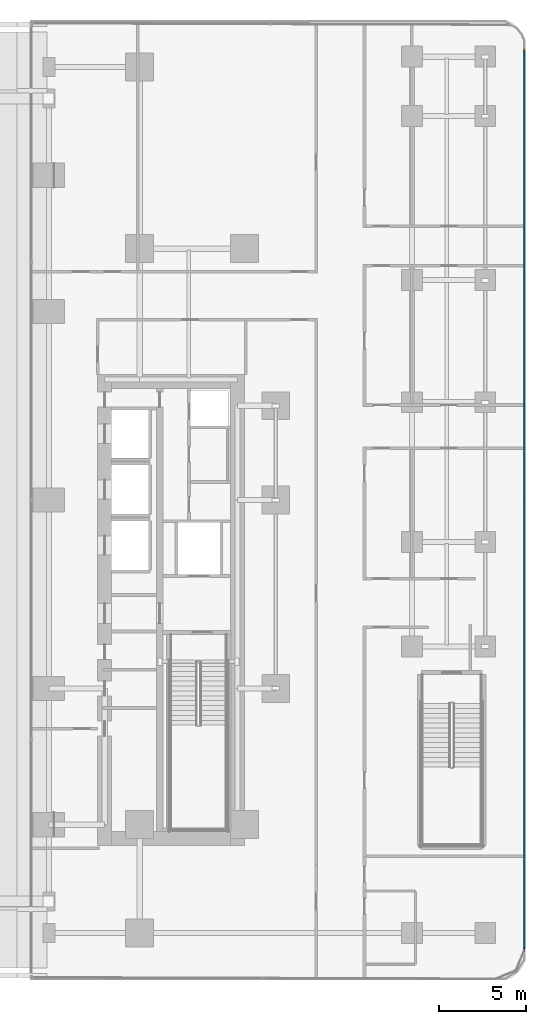
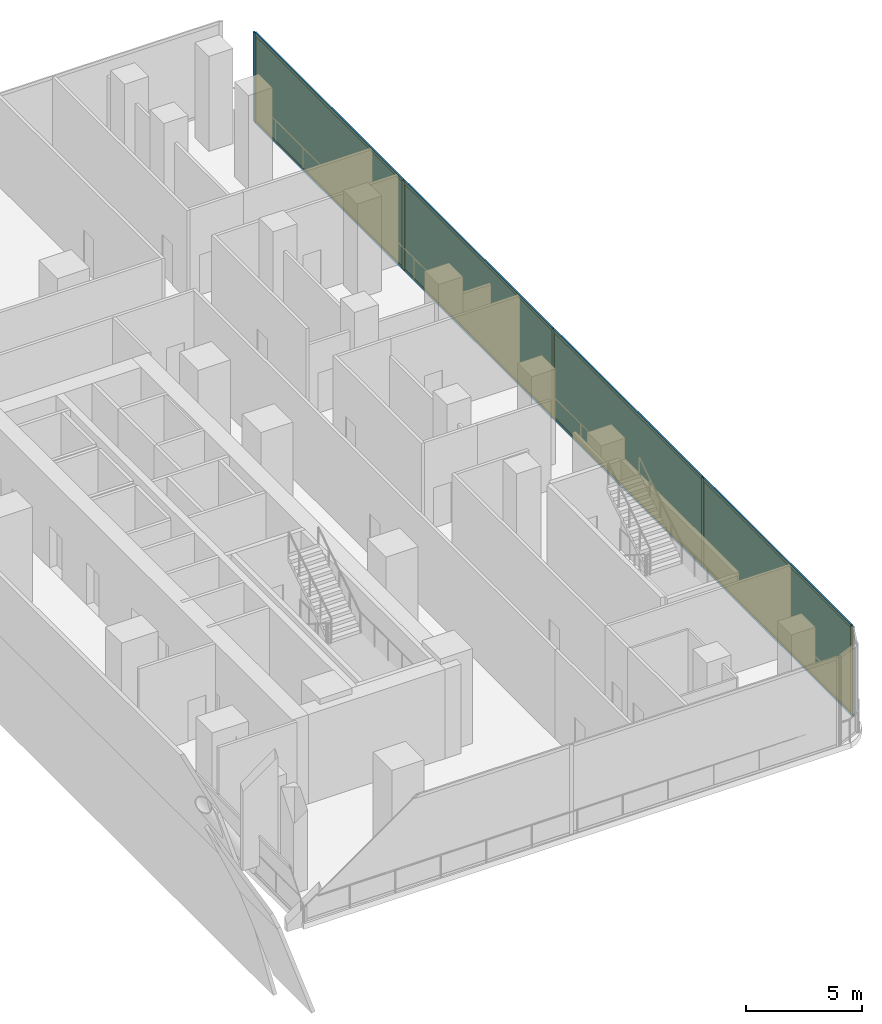
# One storey, part 20 of 31: 13 members, 4 plates, 1 curtain wall.
"""IFC4 building model written with IfcOpenShell, lengths in metres."""

import ifcopenshell
import ifcopenshell.guid

model = None  # the IFC model being written
_history = None  # IfcOwnerHistory: only IFC2X3 demands one
_inside = {}  # id of a spatial element -> (the spatial element, [elements in it])
_under = {}  # id of a project, library or spatial element -> (it, [spatial elements below it])
_declared = {}  # id of a project -> (the project, [libraries it declares])
_typed = {}  # id of a type object -> (the type object, [elements of that type])
_made_of = {}  # id of a material, layer set ... -> (it, [elements and type objects made of it])


def new_model(schema):
    """Start an empty IFC model of exactly this schema.

    Asked for "IFC4X3", IfcOpenShell would pick the latest addendum, in which some entities
    have other attributes; the version numbers below select the first issue.
    IFC2X3 requires an IfcOwnerHistory on every rooted entity: one is made here for all.
    """
    global model, _history
    if schema == "IFC4X3":
        model = ifcopenshell.file(schema_version=(4, 3, 0, 0))
    else:
        model = ifcopenshell.file(schema=schema)
    _inside.clear()
    _under.clear()
    _declared.clear()
    _typed.clear()
    _made_of.clear()
    _history = None
    if model.schema == "IFC2X3":
        org = make("IfcOrganization", Name="unknown")
        user = make(
            "IfcPersonAndOrganization",
            ThePerson=make("IfcPerson", FamilyName="unknown"),
            TheOrganization=org,
        )
        app = make(
            "IfcApplication",
            ApplicationDeveloper=org,
            Version="unknown",
            ApplicationFullName="unknown",
            ApplicationIdentifier="unknown",
        )
        _history = make(
            "IfcOwnerHistory",
            OwningUser=user,
            OwningApplication=app,
            ChangeAction="ADDED",
            CreationDate=0,
        )
    return model


def make(cls, **values):
    """One entity of the class cls with the attributes given. An attribute that is None is left unset."""
    return model.create_entity(
        cls, **{name: value for name, value in values.items() if value is not None}
    )


def rooted(cls, **values):
    """An entity with a GlobalId (a new one), such as an element, a storey or a relation."""
    return make(cls, GlobalId=ifcopenshell.guid.new(), OwnerHistory=_history, **values)


def si_unit(unit_type, name, prefix=None):
    """IfcSIUnit, for example si_unit("LENGTHUNIT", "METRE", prefix="MILLI")."""
    return make("IfcSIUnit", UnitType=unit_type, Prefix=prefix, Name=name)


def assignment(units):
    """IfcUnitAssignment: the units of a project."""
    return None if units is None else make("IfcUnitAssignment", Units=units)


def point(xyz):
    """IfcCartesianPoint."""
    return None if xyz is None else make("IfcCartesianPoint", Coordinates=xyz)


def direction(xyz):
    """IfcDirection."""
    return None if xyz is None else make("IfcDirection", DirectionRatios=xyz)


def frame(location, z_axis=None, x_axis=None):
    """IfcAxis2Placement3D, a coordinate frame: its origin and axes. An axis left out is left unset."""
    return make(
        "IfcAxis2Placement3D",
        Location=point(location),
        Axis=direction(z_axis),
        RefDirection=direction(x_axis),
    )


def frame_2d(location, x_axis=None):
    """IfcAxis2Placement2D, a coordinate frame in the plane: its origin and x axis."""
    return make(
        "IfcAxis2Placement2D", Location=point(location), RefDirection=direction(x_axis)
    )


def origin():
    """The frame at (0, 0, 0) with its axes left unset."""
    return frame((0.0, 0.0, 0.0))


def origin_2d():
    """The frame at (0, 0) in the plane with its x axis left unset."""
    return frame_2d((0.0, 0.0))


def place(relative_to, where):
    """IfcLocalPlacement: puts the frame where relative to a parent placement (None: the world)."""
    return make(
        "IfcLocalPlacement", PlacementRelTo=relative_to, RelativePlacement=where
    )


def context(
    kind, dimensions, precision=None, world=None, true_north=None, identifier=None
):
    """IfcGeometricRepresentationContext, for example the 3D "Model" context."""
    return make(
        "IfcGeometricRepresentationContext",
        ContextIdentifier=identifier,
        ContextType=kind,
        CoordinateSpaceDimension=dimensions,
        Precision=precision,
        WorldCoordinateSystem=world,
        TrueNorth=true_north,
    )


def subcontext(parent, identifier, kind, view, scale=None):
    """IfcGeometricRepresentationSubContext, for example "Body" below "Model"."""
    return make(
        "IfcGeometricRepresentationSubContext",
        ContextIdentifier=identifier,
        ContextType=kind,
        ParentContext=parent,
        TargetScale=scale,
        TargetView=view,
    )


def project(units=None, contexts=None):
    """IfcProject with its units and contexts."""
    return rooted(
        "IfcProject",
        Name="project",
        RepresentationContexts=contexts,
        UnitsInContext=assignment(units),
    )


def spatial(cls, under=None, at=None, **own):
    """A site, building, storey or space (cls), placed at a placement, below another one or the project."""
    s = rooted(cls, ObjectPlacement=at, **own)
    if under is not None:
        _under.setdefault(under.id(), (under, []))[1].append(s)
    return s


def profile(cls, at=None, kind="AREA", **sizes):
    """A parametric profile (cls). Its sizes go by their IFC names, for example OverallWidth=200.0."""
    return make(cls, ProfileType=kind, Position=at, **sizes)


def rectangle(**sizes):
    """IfcRectangleProfileDef."""
    return profile("IfcRectangleProfileDef", **sizes)


def extrude(swept, where, along, depth):
    """IfcExtrudedAreaSolid: the profile swept, set in the frame where, extruded along a direction by depth."""
    return make(
        "IfcExtrudedAreaSolid",
        SweptArea=swept,
        Position=where,
        ExtrudedDirection=direction(along),
        Depth=depth,
    )


def shape(context_of_items, identifier, shape_type, items):
    """IfcShapeRepresentation: the items that make up one representation, for example the "Body"."""
    return make(
        "IfcShapeRepresentation",
        ContextOfItems=context_of_items,
        RepresentationIdentifier=identifier,
        RepresentationType=shape_type,
        Items=items,
    )


def material(Name=None, Category=None):
    """IfcMaterial."""
    return make("IfcMaterial", Name=Name, Category=Category)


def layer(
    of_material, thickness, ventilated=None, Name=None, Category=None, Priority=None
):
    """IfcMaterialLayer: one layer of a wall or slab, of a material (None: an air gap)."""
    return make(
        "IfcMaterialLayer",
        Material=of_material,
        LayerThickness=thickness,
        IsVentilated=ventilated,
        Name=Name,
        Category=Category,
        Priority=Priority,
    )


def layer_set(layers, Name=None):
    """IfcMaterialLayerSet."""
    return make("IfcMaterialLayerSet", MaterialLayers=layers, LayerSetName=Name)


def material_profile(
    of_material, cross_section, Name=None, Category=None, Priority=None
):
    """IfcMaterialProfile: a cross section and its material."""
    return make(
        "IfcMaterialProfile",
        Name=Name,
        Material=of_material,
        Profile=cross_section,
        Priority=Priority,
        Category=Category,
    )


def profile_set(profiles, Name=None, composite=None):
    """IfcMaterialProfileSet."""
    return make(
        "IfcMaterialProfileSet",
        Name=Name,
        MaterialProfiles=profiles,
        CompositeProfile=composite,
    )


def made_of(thing, what):
    """Note that an element or type object is made of a material, layer set ...; save() writes the relation."""
    if what is not None:
        _made_of.setdefault(what.id(), (what, []))[1].append(thing)
    return thing


def type_object(cls, material=None, **own):
    """A type object (cls), such as IfcWallType, which elements share."""
    return made_of(rooted(cls, **own), material)


def element(
    cls,
    number,
    at=None,
    inside=None,
    cuts=None,
    type_object=None,
    material=None,
    context=None,
    identifier="Body",
    shape_type=None,
    held_by="IfcProductDefinitionShape",
    body=None,
    shapes=None,
    **own,
):
    """One element of the class cls, such as IfcWall. Its Tag is "e" and its number.

    at: its placement. inside: the storey or other place that contains it. cuts: it is an
    opening in that element (IfcRelVoidsElement). A single representation is given by context,
    identifier, shape_type and body (its items); several are given by shapes. held_by: the class
    of the entity that holds the representations. save() writes the other relations.
    """
    e = rooted(cls, Tag="e%d" % number, ObjectPlacement=at, **own)
    if body is not None:
        shapes = [shape(context, identifier, shape_type, body)]
    if shapes is not None:
        e.Representation = make(held_by, Representations=shapes)
    if inside is not None:
        _inside.setdefault(inside.id(), (inside, []))[1].append(e)
    if cuts is not None:
        rooted(
            "IfcRelVoidsElement", RelatingBuildingElement=cuts, RelatedOpeningElement=e
        )
    if type_object is not None:
        _typed.setdefault(type_object.id(), (type_object, []))[1].append(e)
    return made_of(e, material)


def aggregate(whole, parts):
    """IfcRelAggregates: a whole, such as a stair, and the parts it consists of."""
    return rooted("IfcRelAggregates", RelatingObject=whole, RelatedObjects=parts)


def save(model, path):
    """Write the relations noted so far, then the file.

    IfcRelAggregates (storeys below a building ...), IfcRelContainedInSpatialStructure (elements
    in a storey), IfcRelDefinesByType, IfcRelAssociatesMaterial and IfcRelDeclares: one each for
    every whole, place, type object, material and project.
    """
    for whole, parts in _under.values():
        aggregate(whole, parts)
    for where, things in _inside.values():
        rooted(
            "IfcRelContainedInSpatialStructure",
            RelatedElements=things,
            RelatingStructure=where,
        )
    for kind, things in _typed.values():
        rooted("IfcRelDefinesByType", RelatedObjects=things, RelatingType=kind)
    for what, things in _made_of.values():
        rooted("IfcRelAssociatesMaterial", RelatedObjects=things, RelatingMaterial=what)
    for by, libraries in _declared.values():
        rooted("IfcRelDeclares", RelatingContext=by, RelatedDefinitions=libraries)
    model.write(path)


model = new_model("IFC4")

# Units and contexts
model_context = context("Model", 3, precision=1e-05, world=origin(), true_north=direction((0.0, 1.0)))
body_context = subcontext(model_context, "Body", "Model", "MODEL_VIEW")
ifc_project = project(units=[si_unit("LENGTHUNIT", "METRE"), si_unit("AREAUNIT", "SQUARE_METRE"), si_unit("VOLUMEUNIT", "CUBIC_METRE"), si_unit("PLANEANGLEUNIT", "RADIAN"), si_unit("MASSUNIT", "GRAM", prefix="KILO")], contexts=[model_context])

# Member
ifc_material_1 = material(Name="Anodised Bronze Aluminium 6063-T6", Category="aluminium")
ifc_material_profile_1 = material_profile(ifc_material_1, rectangle(XDim=0.074951171875, YDim=0.199951171875, at=origin_2d()))
ifc_profile_set_1 = profile_set([ifc_material_profile_1], Name="Anodised Bronze Aluminium 6063-T6")
member_type_1 = type_object("IfcMemberType", Name="CW-POD Mullion 75x200", PredefinedType="MULLION", material=ifc_profile_set_1)
site_placement = place(None, origin())
building_placement = place(site_placement, origin())
storey_placement = place(building_placement, frame((0.0, 0.0, 6.0)))
member_1_placement = place(storey_placement, frame((36.43994140625, 25.751953125, 0.0), z_axis=(0.0, 0.0, 1.0), x_axis=(1.0, 0.0, 0.0)))
member_1 = element("IfcMember", 1, at=member_1_placement, type_object=member_type_1, Name="CW-POD mullion 1", PredefinedType="MULLION", context=body_context, shape_type="SweptSolid", body=[
    extrude(rectangle(XDim=0.074951171875, YDim=0.199951171875, at=origin_2d()), origin(), (0.0, 0.0, 1.0), 4.699951171875),
])

member_2_placement = place(storey_placement, frame((36.43994140625, 12.894775390625, 0.0), z_axis=(0.0, 0.0, 1.0), x_axis=(1.0, 0.0, 0.0)))
member_2 = element("IfcMember", 2, at=member_2_placement, type_object=member_type_1, Name="CW-POD mullion 2", PredefinedType="MULLION", context=body_context, shape_type="SweptSolid", body=[
    extrude(rectangle(XDim=0.074951171875, YDim=0.199951171875, at=origin_2d()), origin(), (0.0, 0.0, 1.0), 4.699951171875),
])

member_3_placement = place(storey_placement, frame((36.43994140625, 0.0, 0.0), z_axis=(0.0, 0.0, 1.0), x_axis=(1.0, 0.0, 0.0)))
member_3 = element("IfcMember", 3, at=member_3_placement, type_object=member_type_1, Name="CW-POD mullion 3", PredefinedType="MULLION", context=body_context, shape_type="SweptSolid", body=[
    extrude(rectangle(XDim=0.074951171875, YDim=0.199951171875, at=origin_2d()), origin(), (0.0, 0.0, 1.0), 4.699951171875),
])

member_4_placement = place(storey_placement, frame((36.43994140625, -12.894775390625, 0.0), z_axis=(0.0, 0.0, 1.0), x_axis=(1.0, 0.0, 0.0)))
member_4 = element("IfcMember", 4, at=member_4_placement, type_object=member_type_1, Name="CW-POD mullion 4", PredefinedType="MULLION", context=body_context, shape_type="SweptSolid", body=[
    extrude(rectangle(XDim=0.074951171875, YDim=0.199951171875, at=origin_2d()), origin(), (0.0, 0.0, 1.0), 4.699951171875),
])

member_5_placement = place(storey_placement, frame((36.43994140625, -25.751953125, 0.0), z_axis=(0.0, 0.0, 1.0), x_axis=(1.0, 0.0, 0.0)))
member_5 = element("IfcMember", 5, at=member_5_placement, type_object=member_type_1, Name="CW-POD mullion 5", PredefinedType="MULLION", context=body_context, shape_type="SweptSolid", body=[
    extrude(rectangle(XDim=0.074951171875, YDim=0.199951171875, at=origin_2d()), origin(), (0.0, 0.0, 1.0), 4.699951171875),
])

ifc_material_2 = material(Name="Anodised Bronze Aluminium 6063-T6", Category="aluminium")
ifc_material_profile_2 = material_profile(ifc_material_2, rectangle(XDim=0.074951171875, YDim=0.159912109375, at=origin_2d()))
ifc_profile_set_2 = profile_set([ifc_material_profile_2], Name="Anodised Bronze Aluminium 6063-T6")
member_type_2 = type_object("IfcMemberType", Name="CW-POD Transom 75x160", PredefinedType="USERDEFINED", material=ifc_profile_set_2)
member_6_placement = place(storey_placement, frame((36.43994140625, 25.714599609375, 0.03759765625), z_axis=(0.0, -1.0, 0.0), x_axis=(1.0, 0.0, 0.0)))
member_6 = element("IfcMember", 6, at=member_6_placement, type_object=member_type_2, Name="CW-POD transom 1.1", ObjectType="TRANSOM", PredefinedType="USERDEFINED", context=body_context, shape_type="SweptSolid", body=[
    extrude(rectangle(XDim=0.074951171875, YDim=0.159912109375, at=origin_2d()), origin(), (0.0, 0.0, 1.0), 12.782470703125),
])

member_7_placement = place(storey_placement, frame((36.43994140625, 25.714599609375, 4.66259765625), z_axis=(0.0, -1.0, 0.0), x_axis=(1.0, 0.0, 0.0)))
member_7 = element("IfcMember", 7, at=member_7_placement, type_object=member_type_2, Name="CW-POD transom 1.2", ObjectType="TRANSOM", PredefinedType="USERDEFINED", context=body_context, shape_type="SweptSolid", body=[
    extrude(rectangle(XDim=0.074951171875, YDim=0.159912109375, at=origin_2d()), origin(), (0.0, 0.0, 1.0), 12.782470703125),
])

member_8_placement = place(storey_placement, frame((36.43994140625, 12.857177734375, 0.03759765625), z_axis=(0.0, -1.0, 0.0), x_axis=(1.0, 0.0, 0.0)))
member_8 = element("IfcMember", 8, at=member_8_placement, type_object=member_type_2, Name="CW-POD transom 2.1", ObjectType="TRANSOM", PredefinedType="USERDEFINED", context=body_context, shape_type="SweptSolid", body=[
    extrude(rectangle(XDim=0.074951171875, YDim=0.159912109375, at=origin_2d()), origin(), (0.0, 0.0, 1.0), 12.819580078125),
])

member_9_placement = place(storey_placement, frame((36.43994140625, 12.857177734375, 4.66259765625), z_axis=(0.0, -1.0, 0.0), x_axis=(1.0, 0.0, 0.0)))
member_9 = element("IfcMember", 9, at=member_9_placement, type_object=member_type_2, Name="CW-POD transom 2.2", ObjectType="TRANSOM", PredefinedType="USERDEFINED", context=body_context, shape_type="SweptSolid", body=[
    extrude(rectangle(XDim=0.074951171875, YDim=0.159912109375, at=origin_2d()), origin(), (0.0, 0.0, 1.0), 12.819580078125),
])

member_10_placement = place(storey_placement, frame((36.43994140625, -0.03759765625, 0.03759765625), z_axis=(0.0, -1.0, 0.0), x_axis=(1.0, 0.0, 0.0)))
member_10 = element("IfcMember", 10, at=member_10_placement, type_object=member_type_2, Name="CW-POD transom 3.1", ObjectType="TRANSOM", PredefinedType="USERDEFINED", context=body_context, shape_type="SweptSolid", body=[
    extrude(rectangle(XDim=0.074951171875, YDim=0.159912109375, at=origin_2d()), origin(), (0.0, 0.0, 1.0), 12.819580078125),
])

member_11_placement = place(storey_placement, frame((36.43994140625, -0.03759765625, 4.66259765625), z_axis=(0.0, -1.0, 0.0), x_axis=(1.0, 0.0, 0.0)))
member_11 = element("IfcMember", 11, at=member_11_placement, type_object=member_type_2, Name="CW-POD transom 3.2", ObjectType="TRANSOM", PredefinedType="USERDEFINED", context=body_context, shape_type="SweptSolid", body=[
    extrude(rectangle(XDim=0.074951171875, YDim=0.159912109375, at=origin_2d()), origin(), (0.0, 0.0, 1.0), 12.819580078125),
])

member_12_placement = place(storey_placement, frame((36.43994140625, -12.93212890625, 0.03759765625), z_axis=(0.0, -1.0, 0.0), x_axis=(1.0, 0.0, 0.0)))
member_12 = element("IfcMember", 12, at=member_12_placement, type_object=member_type_2, Name="CW-POD transom 4.1", ObjectType="TRANSOM", PredefinedType="USERDEFINED", context=body_context, shape_type="SweptSolid", body=[
    extrude(rectangle(XDim=0.074951171875, YDim=0.159912109375, at=origin_2d()), origin(), (0.0, 0.0, 1.0), 12.782470703125),
])

member_13_placement = place(storey_placement, frame((36.43994140625, -12.93212890625, 4.66259765625), z_axis=(0.0, -1.0, 0.0), x_axis=(1.0, 0.0, 0.0)))
member_13 = element("IfcMember", 13, at=member_13_placement, type_object=member_type_2, Name="CW-POD transom 4.2", ObjectType="TRANSOM", PredefinedType="USERDEFINED", context=body_context, shape_type="SweptSolid", body=[
    extrude(rectangle(XDim=0.074951171875, YDim=0.159912109375, at=origin_2d()), origin(), (0.0, 0.0, 1.0), 12.782470703125),
])

# Plate
ifc_material_3 = material(Name="Low-E Solar Control Laminated Glass", Category="glass")
ifc_layer_1 = layer(ifc_material_3, 0.031982421875, Name="Low-E Solar Control Laminated Glass")
ifc_layer_set_1 = layer_set([ifc_layer_1], Name="Low-E Solar Control Laminated Glass")
plate_type = type_object("IfcPlateType", Name="CW-POD Low-E Double Glazed Panel 32mm", PredefinedType="CURTAIN_PANEL", material=ifc_layer_set_1)
plate_1_placement = place(storey_placement, frame((36.43994140625, 19.323486328125, 0.0751953125), z_axis=(0.0, 0.0, 1.0), x_axis=(0.0, -1.0, 0.0)))
plate_1 = element("IfcPlate", 14, at=plate_1_placement, type_object=plate_type, Name="CW-POD panel 1.1", PredefinedType="CURTAIN_PANEL", context=body_context, shape_type="SweptSolid", body=[
    extrude(rectangle(XDim=12.7822265625, YDim=0.031982421875, at=origin_2d()), origin(), (0.0, 0.0, 1.0), 4.550048828125),
])

plate_2_placement = place(storey_placement, frame((36.43994140625, 6.447265625, 0.0751953125), z_axis=(0.0, 0.0, 1.0), x_axis=(0.0, -1.0, 0.0)))
plate_2 = element("IfcPlate", 15, at=plate_2_placement, type_object=plate_type, Name="CW-POD panel 2.1", PredefinedType="CURTAIN_PANEL", context=body_context, shape_type="SweptSolid", body=[
    extrude(rectangle(XDim=12.81982421875, YDim=0.031982421875, at=origin_2d()), origin(), (0.0, 0.0, 1.0), 4.550048828125),
])

plate_3_placement = place(storey_placement, frame((36.43994140625, -6.447265625, 0.0751953125), z_axis=(0.0, 0.0, 1.0), x_axis=(0.0, -1.0, 0.0)))
plate_3 = element("IfcPlate", 16, at=plate_3_placement, type_object=plate_type, Name="CW-POD panel 3.1", PredefinedType="CURTAIN_PANEL", context=body_context, shape_type="SweptSolid", body=[
    extrude(rectangle(XDim=12.81982421875, YDim=0.031982421875, at=origin_2d()), origin(), (0.0, 0.0, 1.0), 4.550048828125),
])

plate_4_placement = place(storey_placement, frame((36.43994140625, -19.323486328125, 0.0751953125), z_axis=(0.0, 0.0, 1.0), x_axis=(0.0, -1.0, 0.0)))
plate_4 = element("IfcPlate", 17, at=plate_4_placement, type_object=plate_type, Name="CW-POD panel 4.1", PredefinedType="CURTAIN_PANEL", context=body_context, shape_type="SweptSolid", body=[
    extrude(rectangle(XDim=12.7822265625, YDim=0.031982421875, at=origin_2d()), origin(), (0.0, 0.0, 1.0), 4.550048828125),
])

# Site, building, storey
site = spatial("IfcSite", under=ifc_project, at=site_placement, CompositionType="ELEMENT")
building = spatial("IfcBuilding", under=site, at=building_placement, Name="Khairoan Windgate Tower", CompositionType="ELEMENT")
storey = spatial("IfcBuildingStorey", under=building, at=storey_placement, Name="L02", CompositionType="ELEMENT", Elevation=6.0)

# Curtain wall
ifc_material_4 = material(Name="Anodised Bronze Aluminium 6063-T6", Category="aluminium")
ifc_layer_2 = layer(ifc_material_4, 0.199951171875, Name="Anodised Bronze Aluminium 6063-T6")
ifc_layer_set_2 = layer_set([ifc_layer_2], Name="Anodised Bronze Aluminium 6063-T6")
curtain_wall_type = type_object("IfcCurtainWallType", Name="Podium Arch Galleria Curtain Wall CW-POD", PredefinedType="NOTDEFINED", material=ifc_layer_set_2)
curtain_wall_placement = place(storey_placement, frame((36.43994140625, 25.78955078125, 0.0), z_axis=(0.0, 0.0, 1.0), x_axis=(0.0, -1.0, 0.0)))
curtain_wall = element("IfcCurtainWall", 18, at=curtain_wall_placement, inside=storey, type_object=curtain_wall_type, Name="L02 Sculpted Podium Wing Curtain Wall 2.5", PredefinedType="NOTDEFINED", context=body_context, shape_type="SweptSolid", body=[
    extrude(rectangle(XDim=51.5791015625, YDim=0.010009765625, at=frame_2d((25.78955078125, 0.0))), origin(), (0.0, 0.0, 1.0), 4.699951171875),
])

aggregate(curtain_wall, [member_1, member_2, member_3, member_4, member_5, member_6, member_7, plate_1, member_8, member_9, plate_2, member_10, member_11, plate_3, member_12, member_13, plate_4])

save(model, "model.ifc")
